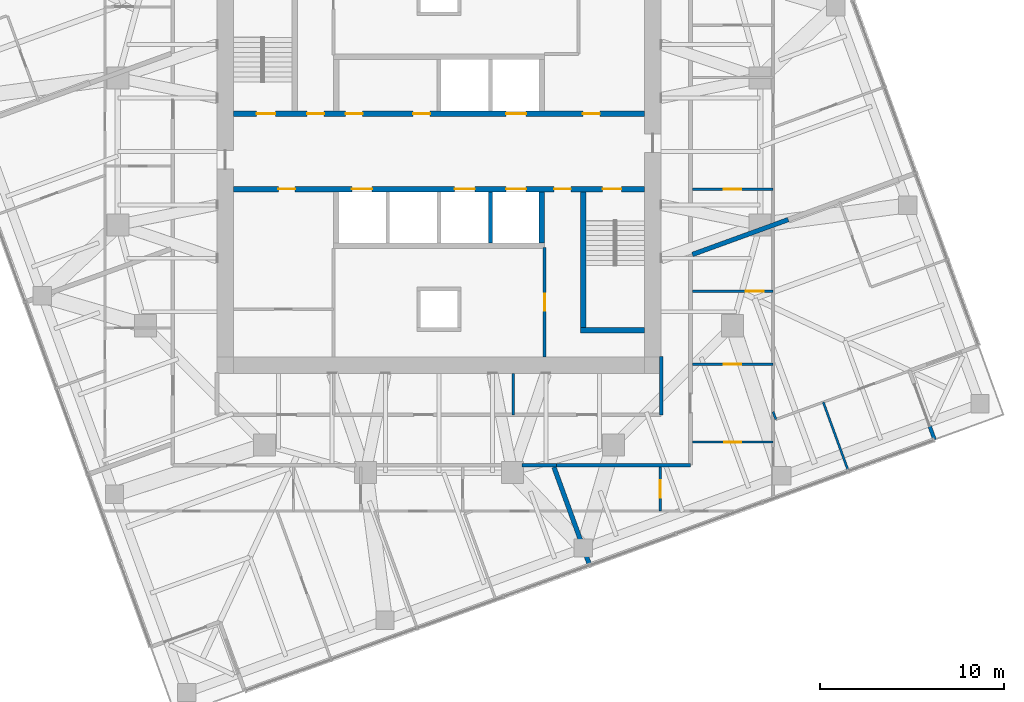
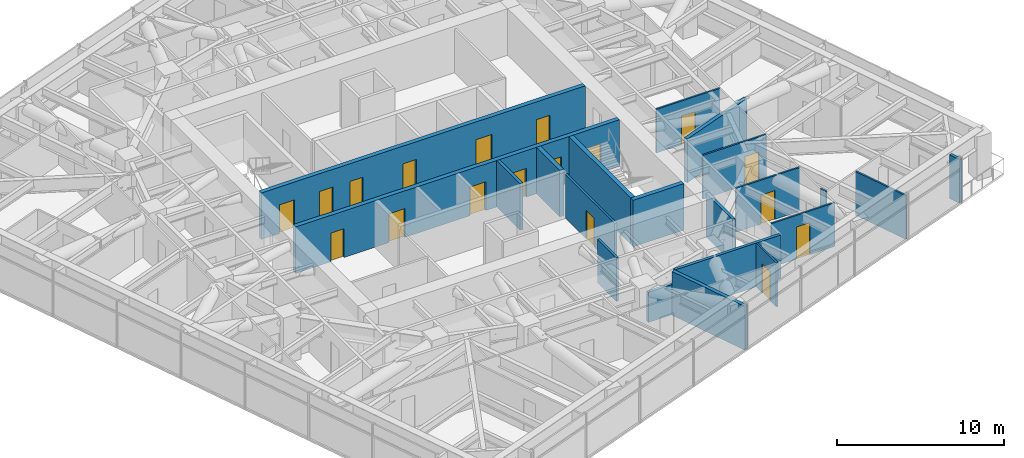
# One storey, part 11 of 16: 21 walls, 18 doors, 18 openings.
"""IFC4 building model written with IfcOpenShell, lengths in metres."""

import ifcopenshell
import ifcopenshell.guid

model = None  # the IFC model being written
_history = None  # IfcOwnerHistory: only IFC2X3 demands one
_inside = {}  # id of a spatial element -> (the spatial element, [elements in it])
_under = {}  # id of a project, library or spatial element -> (it, [spatial elements below it])
_declared = {}  # id of a project -> (the project, [libraries it declares])
_typed = {}  # id of a type object -> (the type object, [elements of that type])
_made_of = {}  # id of a material, layer set ... -> (it, [elements and type objects made of it])


def new_model(schema):
    """Start an empty IFC model of exactly this schema.

    Asked for "IFC4X3", IfcOpenShell would pick the latest addendum, in which some entities
    have other attributes; the version numbers below select the first issue.
    IFC2X3 requires an IfcOwnerHistory on every rooted entity: one is made here for all.
    """
    global model, _history
    if schema == "IFC4X3":
        model = ifcopenshell.file(schema_version=(4, 3, 0, 0))
    else:
        model = ifcopenshell.file(schema=schema)
    _inside.clear()
    _under.clear()
    _declared.clear()
    _typed.clear()
    _made_of.clear()
    _history = None
    if model.schema == "IFC2X3":
        org = make("IfcOrganization", Name="unknown")
        user = make(
            "IfcPersonAndOrganization",
            ThePerson=make("IfcPerson", FamilyName="unknown"),
            TheOrganization=org,
        )
        app = make(
            "IfcApplication",
            ApplicationDeveloper=org,
            Version="unknown",
            ApplicationFullName="unknown",
            ApplicationIdentifier="unknown",
        )
        _history = make(
            "IfcOwnerHistory",
            OwningUser=user,
            OwningApplication=app,
            ChangeAction="ADDED",
            CreationDate=0,
        )
    return model


def make(cls, **values):
    """One entity of the class cls with the attributes given. An attribute that is None is left unset."""
    return model.create_entity(
        cls, **{name: value for name, value in values.items() if value is not None}
    )


def rooted(cls, **values):
    """An entity with a GlobalId (a new one), such as an element, a storey or a relation."""
    return make(cls, GlobalId=ifcopenshell.guid.new(), OwnerHistory=_history, **values)


def si_unit(unit_type, name, prefix=None):
    """IfcSIUnit, for example si_unit("LENGTHUNIT", "METRE", prefix="MILLI")."""
    return make("IfcSIUnit", UnitType=unit_type, Prefix=prefix, Name=name)


def assignment(units):
    """IfcUnitAssignment: the units of a project."""
    return None if units is None else make("IfcUnitAssignment", Units=units)


def point(xyz):
    """IfcCartesianPoint."""
    return None if xyz is None else make("IfcCartesianPoint", Coordinates=xyz)


def direction(xyz):
    """IfcDirection."""
    return None if xyz is None else make("IfcDirection", DirectionRatios=xyz)


def frame(location, z_axis=None, x_axis=None):
    """IfcAxis2Placement3D, a coordinate frame: its origin and axes. An axis left out is left unset."""
    return make(
        "IfcAxis2Placement3D",
        Location=point(location),
        Axis=direction(z_axis),
        RefDirection=direction(x_axis),
    )


def frame_2d(location, x_axis=None):
    """IfcAxis2Placement2D, a coordinate frame in the plane: its origin and x axis."""
    return make(
        "IfcAxis2Placement2D", Location=point(location), RefDirection=direction(x_axis)
    )


def origin():
    """The frame at (0, 0, 0) with its axes left unset."""
    return frame((0.0, 0.0, 0.0))


def place(relative_to, where):
    """IfcLocalPlacement: puts the frame where relative to a parent placement (None: the world)."""
    return make(
        "IfcLocalPlacement", PlacementRelTo=relative_to, RelativePlacement=where
    )


def context(
    kind, dimensions, precision=None, world=None, true_north=None, identifier=None
):
    """IfcGeometricRepresentationContext, for example the 3D "Model" context."""
    return make(
        "IfcGeometricRepresentationContext",
        ContextIdentifier=identifier,
        ContextType=kind,
        CoordinateSpaceDimension=dimensions,
        Precision=precision,
        WorldCoordinateSystem=world,
        TrueNorth=true_north,
    )


def subcontext(parent, identifier, kind, view, scale=None):
    """IfcGeometricRepresentationSubContext, for example "Body" below "Model"."""
    return make(
        "IfcGeometricRepresentationSubContext",
        ContextIdentifier=identifier,
        ContextType=kind,
        ParentContext=parent,
        TargetScale=scale,
        TargetView=view,
    )


def project(units=None, contexts=None):
    """IfcProject with its units and contexts."""
    return rooted(
        "IfcProject",
        Name="project",
        RepresentationContexts=contexts,
        UnitsInContext=assignment(units),
    )


def spatial(cls, under=None, at=None, **own):
    """A site, building, storey or space (cls), placed at a placement, below another one or the project."""
    s = rooted(cls, ObjectPlacement=at, **own)
    if under is not None:
        _under.setdefault(under.id(), (under, []))[1].append(s)
    return s


def profile(cls, at=None, kind="AREA", **sizes):
    """A parametric profile (cls). Its sizes go by their IFC names, for example OverallWidth=200.0."""
    return make(cls, ProfileType=kind, Position=at, **sizes)


def rectangle(**sizes):
    """IfcRectangleProfileDef."""
    return profile("IfcRectangleProfileDef", **sizes)


def extrude(swept, where, along, depth):
    """IfcExtrudedAreaSolid: the profile swept, set in the frame where, extruded along a direction by depth."""
    return make(
        "IfcExtrudedAreaSolid",
        SweptArea=swept,
        Position=where,
        ExtrudedDirection=direction(along),
        Depth=depth,
    )


def shape(context_of_items, identifier, shape_type, items):
    """IfcShapeRepresentation: the items that make up one representation, for example the "Body"."""
    return make(
        "IfcShapeRepresentation",
        ContextOfItems=context_of_items,
        RepresentationIdentifier=identifier,
        RepresentationType=shape_type,
        Items=items,
    )


def material(Name=None, Category=None):
    """IfcMaterial."""
    return make("IfcMaterial", Name=Name, Category=Category)


def layer(
    of_material, thickness, ventilated=None, Name=None, Category=None, Priority=None
):
    """IfcMaterialLayer: one layer of a wall or slab, of a material (None: an air gap)."""
    return make(
        "IfcMaterialLayer",
        Material=of_material,
        LayerThickness=thickness,
        IsVentilated=ventilated,
        Name=Name,
        Category=Category,
        Priority=Priority,
    )


def layer_set(layers, Name=None):
    """IfcMaterialLayerSet."""
    return make("IfcMaterialLayerSet", MaterialLayers=layers, LayerSetName=Name)


def made_of(thing, what):
    """Note that an element or type object is made of a material, layer set ...; save() writes the relation."""
    if what is not None:
        _made_of.setdefault(what.id(), (what, []))[1].append(thing)
    return thing


def type_object(cls, material=None, **own):
    """A type object (cls), such as IfcWallType, which elements share."""
    return made_of(rooted(cls, **own), material)


def element(
    cls,
    number,
    at=None,
    inside=None,
    cuts=None,
    type_object=None,
    material=None,
    context=None,
    identifier="Body",
    shape_type=None,
    held_by="IfcProductDefinitionShape",
    body=None,
    shapes=None,
    **own,
):
    """One element of the class cls, such as IfcWall. Its Tag is "e" and its number.

    at: its placement. inside: the storey or other place that contains it. cuts: it is an
    opening in that element (IfcRelVoidsElement). A single representation is given by context,
    identifier, shape_type and body (its items); several are given by shapes. held_by: the class
    of the entity that holds the representations. save() writes the other relations.
    """
    e = rooted(cls, Tag="e%d" % number, ObjectPlacement=at, **own)
    if body is not None:
        shapes = [shape(context, identifier, shape_type, body)]
    if shapes is not None:
        e.Representation = make(held_by, Representations=shapes)
    if inside is not None:
        _inside.setdefault(inside.id(), (inside, []))[1].append(e)
    if cuts is not None:
        rooted(
            "IfcRelVoidsElement", RelatingBuildingElement=cuts, RelatedOpeningElement=e
        )
    if type_object is not None:
        _typed.setdefault(type_object.id(), (type_object, []))[1].append(e)
    return made_of(e, material)


def fill(opening, filler):
    """IfcRelFillsElement: the door or window that sits in an opening."""
    return rooted(
        "IfcRelFillsElement",
        RelatingOpeningElement=opening,
        RelatedBuildingElement=filler,
    )


def aggregate(whole, parts):
    """IfcRelAggregates: a whole, such as a stair, and the parts it consists of."""
    return rooted("IfcRelAggregates", RelatingObject=whole, RelatedObjects=parts)


def save(model, path):
    """Write the relations noted so far, then the file.

    IfcRelAggregates (storeys below a building ...), IfcRelContainedInSpatialStructure (elements
    in a storey), IfcRelDefinesByType, IfcRelAssociatesMaterial and IfcRelDeclares: one each for
    every whole, place, type object, material and project.
    """
    for whole, parts in _under.values():
        aggregate(whole, parts)
    for where, things in _inside.values():
        rooted(
            "IfcRelContainedInSpatialStructure",
            RelatedElements=things,
            RelatingStructure=where,
        )
    for kind, things in _typed.values():
        rooted("IfcRelDefinesByType", RelatedObjects=things, RelatingType=kind)
    for what, things in _made_of.values():
        rooted("IfcRelAssociatesMaterial", RelatedObjects=things, RelatingMaterial=what)
    for by, libraries in _declared.values():
        rooted("IfcRelDeclares", RelatingContext=by, RelatedDefinitions=libraries)
    model.write(path)


model = new_model("IFC4")

# Units and contexts
model_context = context("Model", 3, precision=1e-05, world=origin(), true_north=direction((0.0, 1.0)))
body_context = subcontext(model_context, "Body", "Model", "MODEL_VIEW")
ifc_project = project(units=[si_unit("LENGTHUNIT", "METRE"), si_unit("AREAUNIT", "SQUARE_METRE"), si_unit("VOLUMEUNIT", "CUBIC_METRE"), si_unit("PLANEANGLEUNIT", "RADIAN"), si_unit("MASSUNIT", "GRAM", prefix="KILO")], contexts=[model_context])

# Site, building, storey
site_placement = place(None, origin())
site = spatial("IfcSite", under=ifc_project, at=site_placement, CompositionType="ELEMENT")
building_placement = place(site_placement, origin())
building = spatial("IfcBuilding", under=site, at=building_placement, Name="Torsade Residences", CompositionType="ELEMENT")
storey_placement = place(building_placement, frame((0.0, 0.0, 167.60009765625)))
storey = spatial("IfcBuildingStorey", under=building, at=storey_placement, Name="L46", CompositionType="ELEMENT", Elevation=167.60009765625)

# Wall, openings, doors
ifc_material_1 = material(Name="Concrete 80 MPa", Category="concrete")
ifc_layer_1 = layer(ifc_material_1, 0.300048828125)
ifc_layer_set_1 = layer_set([ifc_layer_1], Name="Concrete 80 MPa")
wall_type_1 = type_object("IfcWallType", Name="CORE INTERNAL WALL 300", PredefinedType="SHEAR", material=ifc_layer_set_1)
wall_1_placement = place(storey_placement, frame((28.800048828125, 32.050048828125, 0.0), z_axis=(0.0, 0.0, 1.0), x_axis=(1.0, 0.0, 0.0)))
wall_1 = element("IfcWall", 1, at=wall_1_placement, inside=storey, type_object=wall_type_1, Name="Core wall LN L46", PredefinedType="SHEAR", context=body_context, shape_type="SweptSolid", body=[
    extrude(rectangle(XDim=22.39990234375, YDim=0.300048828125, at=frame_2d((11.199951171875, 0.0))), origin(), (0.0, 0.0, 1.0), 3.39990234375),
])
opening_1_placement = place(wall_1_placement, frame((19.0400390625, 0.0, 0.0)))
opening_1 = element("IfcOpeningElement", 2, at=opening_1_placement, cuts=wall_1, Name="Opening D06", PredefinedType="OPENING", context=body_context, shape_type="SweptSolid", body=[
    extrude(rectangle(XDim=0.919921875, YDim=2.10009765625, at=frame_2d((0.4599609375, 1.050048828125))), frame((0.0, 0.159912109375, 0.0), z_axis=(0.0, -1.0, 0.0), x_axis=(1.0, 0.0, 0.0)), (0.0, 0.0, 1.0), 0.320068359375),
])
opening_2_placement = place(wall_1_placement, frame((1.264892578125, 0.0, 0.0)))
opening_2 = element("IfcOpeningElement", 3, at=opening_2_placement, cuts=wall_1, Name="Opening D03", PredefinedType="OPENING", context=body_context, shape_type="SweptSolid", body=[
    extrude(rectangle(XDim=1.02001953125, YDim=2.10009765625, at=frame_2d((0.510009765625, 1.050048828125))), frame((0.0, 0.159912109375, 0.0), z_axis=(0.0, -1.0, 0.0), x_axis=(1.0, 0.0, 0.0)), (0.0, 0.0, 1.0), 0.320068359375),
])
opening_3_placement = place(wall_1_placement, frame((4.014892578125, 0.0, 0.0)))
opening_3 = element("IfcOpeningElement", 4, at=opening_3_placement, cuts=wall_1, Name="Opening D06", PredefinedType="OPENING", context=body_context, shape_type="SweptSolid", body=[
    extrude(rectangle(XDim=0.919921875, YDim=2.10009765625, at=frame_2d((0.4599609375, 1.050048828125))), frame((0.0, 0.159912109375, 0.0), z_axis=(0.0, -1.0, 0.0), x_axis=(1.0, 0.0, 0.0)), (0.0, 0.0, 1.0), 0.320068359375),
])
opening_4_placement = place(wall_1_placement, frame((6.114990234375, 0.0, 0.0)))
opening_4 = element("IfcOpeningElement", 5, at=opening_4_placement, cuts=wall_1, Name="Opening D06", PredefinedType="OPENING", context=body_context, shape_type="SweptSolid", body=[
    extrude(rectangle(XDim=0.919921875, YDim=2.10009765625, at=frame_2d((0.4599609375, 1.050048828125))), frame((0.0, 0.159912109375, 0.0), z_axis=(0.0, -1.0, 0.0), x_axis=(1.0, 0.0, 0.0)), (0.0, 0.0, 1.0), 0.320068359375),
])
opening_5_placement = place(wall_1_placement, frame((9.7900390625, 0.0, 0.0)))
opening_5 = element("IfcOpeningElement", 6, at=opening_5_placement, cuts=wall_1, Name="Opening D06", PredefinedType="OPENING", context=body_context, shape_type="SweptSolid", body=[
    extrude(rectangle(XDim=0.919921875, YDim=2.10009765625, at=frame_2d((0.4599609375, 1.050048828125))), frame((0.0, 0.159912109375, 0.0), z_axis=(0.0, -1.0, 0.0), x_axis=(1.0, 0.0, 0.0)), (0.0, 0.0, 1.0), 0.320068359375),
])
opening_6_placement = place(wall_1_placement, frame((14.85009765625, 0.0, 0.0)))
opening_6 = element("IfcOpeningElement", 7, at=opening_6_placement, cuts=wall_1, Name="Opening LD", PredefinedType="OPENING", context=body_context, shape_type="SweptSolid", body=[
    extrude(rectangle(XDim=1.10009765625, YDim=2.10009765625, at=frame_2d((0.550048828125, 1.050048828125))), frame((0.0, 0.159912109375, 0.0), z_axis=(0.0, -1.0, 0.0), x_axis=(1.0, 0.0, 0.0)), (0.0, 0.0, 1.0), 0.320068359375),
])
ifc_material_2 = material(Name="Steel-framed fire door", Category="steel")
door_type_1 = type_object("IfcDoorType", Name="FIRE DOOR 1020", OperationType="NOTDEFINED", PredefinedType="DOOR", material=ifc_material_2)
door_1_placement = place(opening_2_placement, origin())
door_1 = element("IfcDoor", 8, at=door_1_placement, inside=storey, type_object=door_type_1, Name="Exit door to fire-isolated stair ST1 L46", OperationType="SINGLE_SWING_RIGHT", OverallHeight=2.10009765625, OverallWidth=1.02001953125, PredefinedType="DOOR", context=body_context, shape_type="SweptSolid", body=[
    extrude(rectangle(XDim=1.02001953125, YDim=2.10009765625, at=frame_2d((0.510009765625, 1.050048828125))), frame((0.0, 0.02490234375, 0.0), z_axis=(0.0, -1.0, 0.0), x_axis=(1.0, 0.0, 0.0)), (0.0, 0.0, 1.0), 0.050048828125),
])
fill(opening_2, door_1)
ifc_material_3 = material(Name="Steel-framed fire door", Category="steel")
door_type_2 = type_object("IfcDoorType", Name="FIRE DOOR 920", OperationType="NOTDEFINED", PredefinedType="DOOR", material=ifc_material_3)
door_2_placement = place(opening_1_placement, origin())
door_2 = element("IfcDoor", 9, at=door_2_placement, inside=storey, type_object=door_type_2, Name="Door Lift lobby to Refuse room", OperationType="SINGLE_SWING_LEFT", OverallHeight=2.10009765625, OverallWidth=0.919921875, PredefinedType="DOOR", context=body_context, shape_type="SweptSolid", body=[
    extrude(rectangle(XDim=0.919921875, YDim=2.10009765625, at=frame_2d((0.4599609375, 1.050048828125))), frame((0.0, 0.02490234375, 0.0), z_axis=(0.0, -1.0, 0.0), x_axis=(1.0, 0.0, 0.0)), (0.0, 0.0, 1.0), 0.050048828125),
])
fill(opening_1, door_2)
door_3_placement = place(opening_3_placement, origin())
door_3 = element("IfcDoor", 10, at=door_3_placement, inside=storey, type_object=door_type_2, Name="Door Lift lobby to Meter store", OperationType="SINGLE_SWING_LEFT", OverallHeight=2.10009765625, OverallWidth=0.919921875, PredefinedType="DOOR", context=body_context, shape_type="SweptSolid", body=[
    extrude(rectangle(XDim=0.919921875, YDim=2.10009765625, at=frame_2d((0.4599609375, 1.050048828125))), frame((0.0, 0.02490234375, 0.0), z_axis=(0.0, -1.0, 0.0), x_axis=(1.0, 0.0, 0.0)), (0.0, 0.0, 1.0), 0.050048828125),
])
fill(opening_3, door_3)
door_4_placement = place(opening_4_placement, origin())
door_4 = element("IfcDoor", 11, at=door_4_placement, inside=storey, type_object=door_type_2, Name="Door Lift lobby to Cleaners store L46A", OperationType="SINGLE_SWING_LEFT", OverallHeight=2.10009765625, OverallWidth=0.919921875, PredefinedType="DOOR", context=body_context, shape_type="SweptSolid", body=[
    extrude(rectangle(XDim=0.919921875, YDim=2.10009765625, at=frame_2d((0.4599609375, 1.050048828125))), frame((0.0, 0.02490234375, 0.0), z_axis=(0.0, -1.0, 0.0), x_axis=(1.0, 0.0, 0.0)), (0.0, 0.0, 1.0), 0.050048828125),
])
fill(opening_4, door_4)
door_5_placement = place(opening_5_placement, origin())
door_5 = element("IfcDoor", 12, at=door_5_placement, inside=storey, type_object=door_type_2, Name="Door Lift lobby to Cleaners store L46A", OperationType="SINGLE_SWING_RIGHT", OverallHeight=2.10009765625, OverallWidth=0.919921875, PredefinedType="DOOR", context=body_context, shape_type="SweptSolid", body=[
    extrude(rectangle(XDim=0.919921875, YDim=2.10009765625, at=frame_2d((0.4599609375, 1.050048828125))), frame((0.0, 0.02490234375, 0.0), z_axis=(0.0, -1.0, 0.0), x_axis=(1.0, 0.0, 0.0)), (0.0, 0.0, 1.0), 0.050048828125),
])
fill(opening_5, door_5)
ifc_material_4 = material(Name="Stainless steel lift landing door", Category="steel")
door_type_3 = type_object("IfcDoorType", Name="LIFT LANDING DOOR 1100", OperationType="SLIDING_TO_LEFT", PredefinedType="DOOR", material=ifc_material_4)
door_6_placement = place(opening_6_placement, origin())
door_6 = element("IfcDoor", 13, at=door_6_placement, inside=storey, type_object=door_type_3, Name="Lift FL1 landing door L46", OperationType="SLIDING_TO_LEFT", OverallHeight=2.10009765625, OverallWidth=1.10009765625, PredefinedType="DOOR", context=body_context, shape_type="SweptSolid", body=[
    extrude(rectangle(XDim=1.10009765625, YDim=2.10009765625, at=frame_2d((0.550048828125, 1.050048828125))), frame((0.0, 0.02490234375, 0.0), z_axis=(0.0, -1.0, 0.0), x_axis=(1.0, 0.0, 0.0)), (0.0, 0.0, 1.0), 0.050048828125),
])
fill(opening_6, door_6)

wall_2_placement = place(storey_placement, frame((51.199951171875, 27.949951171875, 0.0), z_axis=(0.0, 0.0, 1.0), x_axis=(-1.0, 0.0, 0.0)))
wall_2 = element("IfcWall", 14, at=wall_2_placement, inside=storey, type_object=wall_type_1, Name="Core wall LS L46", PredefinedType="SHEAR", context=body_context, shape_type="SweptSolid", body=[
    extrude(rectangle(XDim=22.39990234375, YDim=0.300048828125, at=frame_2d((11.199951171875, 0.0))), origin(), (0.0, 0.0, 1.0), 3.39990234375),
])
opening_7_placement = place(wall_2_placement, frame((19.0400390625, 0.0, 0.0)))
opening_7 = element("IfcOpeningElement", 15, at=opening_7_placement, cuts=wall_2, Name="Opening D06", PredefinedType="OPENING", context=body_context, shape_type="SweptSolid", body=[
    extrude(rectangle(XDim=0.919921875, YDim=2.10009765625, at=frame_2d((0.4599609375, 1.050048828125))), frame((0.0, 0.159912109375, 0.0), z_axis=(0.0, -1.0, 0.0), x_axis=(1.0, 0.0, 0.0)), (0.0, 0.0, 1.0), 0.320068359375),
])
opening_8_placement = place(wall_2_placement, frame((1.264892578125, 0.0, 0.0)))
opening_8 = element("IfcOpeningElement", 16, at=opening_8_placement, cuts=wall_2, Name="Opening D03", PredefinedType="OPENING", context=body_context, shape_type="SweptSolid", body=[
    extrude(rectangle(XDim=1.02001953125, YDim=2.10009765625, at=frame_2d((0.510009765625, 1.050048828125))), frame((0.0, 0.159912109375, 0.0), z_axis=(0.0, -1.0, 0.0), x_axis=(1.0, 0.0, 0.0)), (0.0, 0.0, 1.0), 0.320068359375),
])
opening_9_placement = place(wall_2_placement, frame((4.014892578125, 0.0, 0.0)))
opening_9 = element("IfcOpeningElement", 17, at=opening_9_placement, cuts=wall_2, Name="Opening D06", PredefinedType="OPENING", context=body_context, shape_type="SweptSolid", body=[
    extrude(rectangle(XDim=0.919921875, YDim=2.10009765625, at=frame_2d((0.4599609375, 1.050048828125))), frame((0.0, 0.159912109375, 0.0), z_axis=(0.0, -1.0, 0.0), x_axis=(1.0, 0.0, 0.0)), (0.0, 0.0, 1.0), 0.320068359375),
])
opening_10_placement = place(wall_2_placement, frame((6.449951171875, 0.0, 0.0)))
opening_10 = element("IfcOpeningElement", 18, at=opening_10_placement, cuts=wall_2, Name="Opening LD", PredefinedType="OPENING", context=body_context, shape_type="SweptSolid", body=[
    extrude(rectangle(XDim=1.10009765625, YDim=2.10009765625, at=frame_2d((0.550048828125, 1.050048828125))), frame((0.0, 0.159912109375, 0.0), z_axis=(0.0, -1.0, 0.0), x_axis=(1.0, 0.0, 0.0)), (0.0, 0.0, 1.0), 0.320068359375),
])
opening_11_placement = place(wall_2_placement, frame((9.25, 0.0, 0.0)))
opening_11 = element("IfcOpeningElement", 19, at=opening_11_placement, cuts=wall_2, Name="Opening LD", PredefinedType="OPENING", context=body_context, shape_type="SweptSolid", body=[
    extrude(rectangle(XDim=1.10009765625, YDim=2.10009765625, at=frame_2d((0.550048828125, 1.050048828125))), frame((0.0, 0.159912109375, 0.0), z_axis=(0.0, -1.0, 0.0), x_axis=(1.0, 0.0, 0.0)), (0.0, 0.0, 1.0), 0.320068359375),
])
opening_12_placement = place(wall_2_placement, frame((14.85009765625, 0.0, 0.0)))
opening_12 = element("IfcOpeningElement", 20, at=opening_12_placement, cuts=wall_2, Name="Opening LD", PredefinedType="OPENING", context=body_context, shape_type="SweptSolid", body=[
    extrude(rectangle(XDim=1.10009765625, YDim=2.10009765625, at=frame_2d((0.550048828125, 1.050048828125))), frame((0.0, 0.159912109375, 0.0), z_axis=(0.0, -1.0, 0.0), x_axis=(1.0, 0.0, 0.0)), (0.0, 0.0, 1.0), 0.320068359375),
])
door_7_placement = place(opening_8_placement, origin())
door_7 = element("IfcDoor", 21, at=door_7_placement, inside=storey, type_object=door_type_1, Name="Exit door to fire-isolated stair ST2 L46", OperationType="SINGLE_SWING_RIGHT", OverallHeight=2.10009765625, OverallWidth=1.02001953125, PredefinedType="DOOR", context=body_context, shape_type="SweptSolid", body=[
    extrude(rectangle(XDim=1.02001953125, YDim=2.10009765625, at=frame_2d((0.510009765625, 1.050048828125))), frame((0.0, 0.02490234375, 0.0), z_axis=(0.0, -1.0, 0.0), x_axis=(1.0, 0.0, 0.0)), (0.0, 0.0, 1.0), 0.050048828125),
])
fill(opening_8, door_7)
door_8_placement = place(opening_7_placement, origin())
door_8 = element("IfcDoor", 22, at=door_8_placement, inside=storey, type_object=door_type_2, Name="Door Lift lobby to Cleaner store", OperationType="SINGLE_SWING_LEFT", OverallHeight=2.10009765625, OverallWidth=0.919921875, PredefinedType="DOOR", context=body_context, shape_type="SweptSolid", body=[
    extrude(rectangle(XDim=0.919921875, YDim=2.10009765625, at=frame_2d((0.4599609375, 1.050048828125))), frame((0.0, 0.02490234375, 0.0), z_axis=(0.0, -1.0, 0.0), x_axis=(1.0, 0.0, 0.0)), (0.0, 0.0, 1.0), 0.050048828125),
])
fill(opening_7, door_8)
door_9_placement = place(opening_9_placement, origin())
door_9 = element("IfcDoor", 23, at=door_9_placement, inside=storey, type_object=door_type_2, Name="Door Lift lobby to Communications equipment store", OperationType="SINGLE_SWING_RIGHT", OverallHeight=2.10009765625, OverallWidth=0.919921875, PredefinedType="DOOR", context=body_context, shape_type="SweptSolid", body=[
    extrude(rectangle(XDim=0.919921875, YDim=2.10009765625, at=frame_2d((0.4599609375, 1.050048828125))), frame((0.0, 0.02490234375, 0.0), z_axis=(0.0, -1.0, 0.0), x_axis=(1.0, 0.0, 0.0)), (0.0, 0.0, 1.0), 0.050048828125),
])
fill(opening_9, door_9)
door_10_placement = place(opening_10_placement, origin())
door_10 = element("IfcDoor", 24, at=door_10_placement, inside=storey, type_object=door_type_3, Name="Lift LB1 landing door L46", OperationType="SLIDING_TO_LEFT", OverallHeight=2.10009765625, OverallWidth=1.10009765625, PredefinedType="DOOR", context=body_context, shape_type="SweptSolid", body=[
    extrude(rectangle(XDim=1.10009765625, YDim=2.10009765625, at=frame_2d((0.550048828125, 1.050048828125))), frame((0.0, 0.02490234375, 0.0), z_axis=(0.0, -1.0, 0.0), x_axis=(1.0, 0.0, 0.0)), (0.0, 0.0, 1.0), 0.050048828125),
])
fill(opening_10, door_10)
door_11_placement = place(opening_11_placement, origin())
door_11 = element("IfcDoor", 25, at=door_11_placement, inside=storey, type_object=door_type_3, Name="Lift LB2 landing door L46", OperationType="SLIDING_TO_LEFT", OverallHeight=2.10009765625, OverallWidth=1.10009765625, PredefinedType="DOOR", context=body_context, shape_type="SweptSolid", body=[
    extrude(rectangle(XDim=1.10009765625, YDim=2.10009765625, at=frame_2d((0.550048828125, 1.050048828125))), frame((0.0, 0.02490234375, 0.0), z_axis=(0.0, -1.0, 0.0), x_axis=(1.0, 0.0, 0.0)), (0.0, 0.0, 1.0), 0.050048828125),
])
fill(opening_11, door_11)
door_12_placement = place(opening_12_placement, origin())
door_12 = element("IfcDoor", 26, at=door_12_placement, inside=storey, type_object=door_type_3, Name="Lift FL2 landing door L46", OperationType="SLIDING_TO_LEFT", OverallHeight=2.10009765625, OverallWidth=1.10009765625, PredefinedType="DOOR", context=body_context, shape_type="SweptSolid", body=[
    extrude(rectangle(XDim=1.10009765625, YDim=2.10009765625, at=frame_2d((0.550048828125, 1.050048828125))), frame((0.0, 0.02490234375, 0.0), z_axis=(0.0, -1.0, 0.0), x_axis=(1.0, 0.0, 0.0)), (0.0, 0.0, 1.0), 0.050048828125),
])
fill(opening_12, door_12)

# Walls
wall_3_placement = place(storey_placement, frame((45.60009765625, 27.800048828125, 0.0), z_axis=(0.0, 0.0, 1.0), x_axis=(0.0, -1.0, 0.0)))
element("IfcWall", 27, at=wall_3_placement, inside=storey, type_object=wall_type_1, Name="Core wall DS0 L46", PredefinedType="SHEAR", context=body_context, shape_type="SweptSolid", body=[
    extrude(rectangle(XDim=2.800048828125, YDim=0.300048828125, at=frame_2d((1.39990234375, 0.0))), origin(), (0.0, 0.0, 1.0), 3.39990234375),
])
wall_4_placement = place(storey_placement, frame((47.85009765625, 27.800048828125, 0.0), z_axis=(0.0, 0.0, 1.0), x_axis=(0.0, -1.0, 0.0)))
element("IfcWall", 28, at=wall_4_placement, inside=storey, type_object=wall_type_1, Name="Core wall ST2W L46", PredefinedType="SHEAR", context=body_context, shape_type="SweptSolid", body=[
    extrude(rectangle(XDim=7.699951171875, YDim=0.300048828125, at=frame_2d((3.85009765625, 0.0))), origin(), (0.0, 0.0, 1.0), 3.39990234375),
])
wall_5_placement = place(storey_placement, frame((51.199951171875, 20.25, 0.0), z_axis=(0.0, 0.0, 1.0), x_axis=(-1.0, 0.0, 0.0)))
element("IfcWall", 29, at=wall_5_placement, inside=storey, type_object=wall_type_1, Name="Core wall ST2S L46", PredefinedType="SHEAR", context=body_context, shape_type="SweptSolid", body=[
    extrude(rectangle(XDim=3.5, YDim=0.300048828125, at=frame_2d((1.75, 0.0))), origin(), (0.0, 0.0, 1.0), 3.39990234375),
])
ifc_material_5 = material(Name="Plasterboard on steel stud", Category="steel")
ifc_layer_2 = layer(ifc_material_5, 0.199951171875)
ifc_layer_set_2 = layer_set([ifc_layer_2], Name="Plasterboard on steel stud")
wall_type_2 = type_object("IfcWallType", Name="CORRIDOR WALL 200", PredefinedType="PARTITIONING", material=ifc_layer_set_2)
wall_6_placement = place(storey_placement, frame((44.530029296875, 12.89990234375, 0.0), z_axis=(0.0, 0.0, 1.0), x_axis=(1.0, 0.0, 0.0)))
element("IfcWall", 30, at=wall_6_placement, inside=storey, type_object=wall_type_2, Name="Corridor wall L46", PredefinedType="PARTITIONING", context=body_context, shape_type="SweptSolid", body=[
    extrude(rectangle(XDim=1.873291015625, YDim=0.199951171875, at=frame_2d((0.9365234375, 0.0))), origin(), (0.0, 0.0, 1.0), 2.199951171875),
])
wall_7_placement = place(storey_placement, frame((46.4033203125, 12.89990234375, 0.0), z_axis=(0.0, 0.0, 1.0), x_axis=(1.0, 0.0, 0.0)))
element("IfcWall", 31, at=wall_7_placement, inside=storey, type_object=wall_type_2, Name="Corridor wall L46", PredefinedType="PARTITIONING", context=body_context, shape_type="SweptSolid", body=[
    extrude(rectangle(XDim=7.296630859375, YDim=0.199951171875, at=frame_2d((3.6484375, 0.0))), origin(), (0.0, 0.0, 1.0), 3.199951171875),
])
wall_8_placement = place(storey_placement, frame((52.10009765625, 15.64990234375, 0.0), z_axis=(0.0, 0.0, 1.0), x_axis=(0.0, 1.0, 0.0)))
element("IfcWall", 32, at=wall_8_placement, inside=storey, type_object=wall_type_2, Name="Corridor wall L46", PredefinedType="PARTITIONING", context=body_context, shape_type="SweptSolid", body=[
    extrude(rectangle(XDim=3.170166015625, YDim=0.199951171875, at=frame_2d((1.5849609375, 0.0))), origin(), (0.0, 0.0, 1.0), 3.199951171875),
])
ifc_material_6 = material(Name="Reinforced blockwork", Category="masonry")
ifc_layer_3 = layer(ifc_material_6, 0.199951171875)
ifc_layer_set_3 = layer_set([ifc_layer_3], Name="Reinforced blockwork")
wall_type_3 = type_object("IfcWallType", Name="LIFT SHAFT DIVIDING WALL 200", PredefinedType="SOLIDWALL", material=ifc_layer_set_3)
wall_9_placement = place(storey_placement, frame((42.800048828125, 27.800048828125, 0.0), z_axis=(0.0, 0.0, 1.0), x_axis=(0.0, -1.0, 0.0)))
element("IfcWall", 33, at=wall_9_placement, inside=storey, type_object=wall_type_3, Name="Core wall DS1 L46", PredefinedType="SOLIDWALL", context=body_context, shape_type="SweptSolid", body=[
    extrude(rectangle(XDim=2.800048828125, YDim=0.199951171875, at=frame_2d((1.39990234375, 0.0))), origin(), (0.0, 0.0, 1.0), 3.39990234375),
])

# Wall, opening, door
ifc_material_7 = material(Name="Plasterboard on steel stud", Category="steel")
ifc_layer_4 = layer(ifc_material_7, 0.1201171875)
ifc_layer_set_4 = layer_set([ifc_layer_4], Name="Plasterboard on steel stud")
wall_type_4 = type_object("IfcWallType", Name="PARTITION 120", PredefinedType="PARTITIONING", material=ifc_layer_set_4)
wall_10_placement = place(storey_placement, frame((58.199951171875, 14.16015625, 0.0), z_axis=(0.0, 0.0, 1.0), x_axis=(-1.0, 0.0, 0.0)))
wall_10 = element("IfcWall", 34, at=wall_10_placement, inside=storey, type_object=wall_type_4, Name="Partition L46", PredefinedType="PARTITIONING", context=body_context, shape_type="SweptSolid", body=[
    extrude(rectangle(XDim=4.39990234375, YDim=0.1201171875, at=frame_2d((2.199951171875, 0.0))), origin(), (0.0, 0.0, 1.0), 3.199951171875),
])
opening_13_placement = place(wall_10_placement, frame((1.739990234375, 0.0, 0.0)))
opening_13 = element("IfcOpeningElement", 35, at=opening_13_placement, cuts=wall_10, Name="Opening D02", PredefinedType="OPENING", context=body_context, shape_type="SweptSolid", body=[
    extrude(rectangle(XDim=0.919921875, YDim=2.340087890625, at=frame_2d((0.4599609375, 1.169921875))), frame((0.0, 0.070068359375, 0.0), z_axis=(0.0, -1.0, 0.0), x_axis=(1.0, 0.0, 0.0)), (0.0, 0.0, 1.0), 0.14013671875),
])
ifc_material_8 = material(Name="Hollow-core timber door", Category="wood")
door_type_4 = type_object("IfcDoorType", Name="INTERNAL DOOR 920x2340", OperationType="NOTDEFINED", PredefinedType="DOOR", material=ifc_material_8)
door_13_placement = place(opening_13_placement, origin())
door_13 = element("IfcDoor", 36, at=door_13_placement, inside=storey, type_object=door_type_4, Name="Door Kitchen and dining to Scullery", OperationType="SINGLE_SWING_LEFT", OverallHeight=2.340087890625, OverallWidth=0.919921875, PredefinedType="DOOR", context=body_context, shape_type="SweptSolid", body=[
    extrude(rectangle(XDim=0.919921875, YDim=2.340087890625, at=frame_2d((0.4599609375, 1.169921875))), frame((0.0, 0.02490234375, 0.0), z_axis=(0.0, -1.0, 0.0), x_axis=(1.0, 0.0, 0.0)), (0.0, 0.0, 1.0), 0.050048828125),
])
fill(opening_13, door_13)

wall_11_placement = place(storey_placement, frame((53.800048828125, 18.400146484375, 0.0), z_axis=(0.0, 0.0, 1.0), x_axis=(1.0, 0.0, 0.0)))
wall_11 = element("IfcWall", 37, at=wall_11_placement, inside=storey, type_object=wall_type_4, Name="Partition L46", PredefinedType="PARTITIONING", context=body_context, shape_type="SweptSolid", body=[
    extrude(rectangle(XDim=4.39990234375, YDim=0.1201171875, at=frame_2d((2.199951171875, 0.0))), origin(), (0.0, 0.0, 1.0), 3.199951171875),
])
opening_14_placement = place(wall_11_placement, frame((1.719970703125, 0.0, 0.0)))
opening_14 = element("IfcOpeningElement", 38, at=opening_14_placement, cuts=wall_11, Name="Opening D05", PredefinedType="OPENING", context=body_context, shape_type="SweptSolid", body=[
    extrude(rectangle(XDim=0.9599609375, YDim=2.10009765625, at=frame_2d((0.47998046875, 1.050048828125))), frame((0.0, 0.070068359375, 0.0), z_axis=(0.0, -1.0, 0.0), x_axis=(1.0, 0.0, 0.0)), (0.0, 0.0, 1.0), 0.14013671875),
])
ifc_material_9 = material(Name="Hollow-core timber door in a steel cavity frame", Category="steel")
door_type_5 = type_object("IfcDoorType", Name="BATHROOM CAVITY SLIDING DOOR 960", OperationType="SLIDING_TO_LEFT", PredefinedType="DOOR", material=ifc_material_9)
door_14_placement = place(opening_14_placement, origin())
door_14 = element("IfcDoor", 39, at=door_14_placement, inside=storey, type_object=door_type_5, Name="Door Kitchen and dining to Ensuite", OperationType="SLIDING_TO_LEFT", OverallHeight=2.10009765625, OverallWidth=0.9599609375, PredefinedType="DOOR", context=body_context, shape_type="SweptSolid", body=[
    extrude(rectangle(XDim=0.9599609375, YDim=2.10009765625, at=frame_2d((0.47998046875, 1.050048828125))), frame((0.0, 0.02490234375, 0.0), z_axis=(0.0, -1.0, 0.0), x_axis=(1.0, 0.0, 0.0)), (0.0, 0.0, 1.0), 0.050048828125),
])
fill(opening_14, door_14)

wall_12_placement = place(storey_placement, frame((52.05615234375, 10.39990234375, 0.0), z_axis=(0.0, 0.0, 1.0), x_axis=(0.0, 1.0, 0.0)))
wall_12 = element("IfcWall", 40, at=wall_12_placement, inside=storey, type_object=wall_type_4, Name="Partition L46", PredefinedType="PARTITIONING", context=body_context, shape_type="SweptSolid", body=[
    extrude(rectangle(XDim=2.400146484375, YDim=0.1201171875, at=frame_2d((1.2001953125, 0.0))), origin(), (0.0, 0.0, 1.0), 3.199951171875),
])
opening_15_placement = place(wall_12_placement, frame((0.719970703125, 0.0, 0.0)))
opening_15 = element("IfcOpeningElement", 41, at=opening_15_placement, cuts=wall_12, Name="Opening D05", PredefinedType="OPENING", context=body_context, shape_type="SweptSolid", body=[
    extrude(rectangle(XDim=0.9599609375, YDim=2.10009765625, at=frame_2d((0.47998046875, 1.050048828125))), frame((0.0, 0.070068359375, 0.0), z_axis=(0.0, -1.0, 0.0), x_axis=(1.0, 0.0, 0.0)), (0.0, 0.0, 1.0), 0.14013671875),
])
door_15_placement = place(opening_15_placement, origin())
door_15 = element("IfcDoor", 42, at=door_15_placement, inside=storey, type_object=door_type_5, Name="Door Scullery to Bathroom", OperationType="SLIDING_TO_LEFT", OverallHeight=2.10009765625, OverallWidth=0.9599609375, PredefinedType="DOOR", context=body_context, shape_type="SweptSolid", body=[
    extrude(rectangle(XDim=0.9599609375, YDim=2.10009765625, at=frame_2d((0.47998046875, 1.050048828125))), frame((0.0, 0.02490234375, 0.0), z_axis=(0.0, -1.0, 0.0), x_axis=(1.0, 0.0, 0.0)), (0.0, 0.0, 1.0), 0.050048828125),
])
fill(opening_15, door_15)

wall_13_placement = place(storey_placement, frame((53.800048828125, 22.384765625, 0.0), z_axis=(0.0, 0.0, 1.0), x_axis=(1.0, 0.0, 0.0)))
wall_13 = element("IfcWall", 43, at=wall_13_placement, inside=storey, type_object=wall_type_4, Name="Partition L46", PredefinedType="PARTITIONING", context=body_context, shape_type="SweptSolid", body=[
    extrude(rectangle(XDim=4.39990234375, YDim=0.1201171875, at=frame_2d((2.199951171875, 0.0))), origin(), (0.0, 0.0, 1.0), 3.199951171875),
])
opening_16_placement = place(wall_13_placement, frame((2.919921875, 0.0, 0.0)))
opening_16 = element("IfcOpeningElement", 44, at=opening_16_placement, cuts=wall_13, Name="Opening D05", PredefinedType="OPENING", context=body_context, shape_type="SweptSolid", body=[
    extrude(rectangle(XDim=0.9599609375, YDim=2.10009765625, at=frame_2d((0.47998046875, 1.050048828125))), frame((0.0, 0.070068359375, 0.0), z_axis=(0.0, -1.0, 0.0), x_axis=(1.0, 0.0, 0.0)), (0.0, 0.0, 1.0), 0.14013671875),
])
door_16_placement = place(opening_16_placement, origin())
door_16 = element("IfcDoor", 45, at=door_16_placement, inside=storey, type_object=door_type_5, Name="Door Ensuite to Laundry", OperationType="SLIDING_TO_LEFT", OverallHeight=2.10009765625, OverallWidth=0.9599609375, PredefinedType="DOOR", context=body_context, shape_type="SweptSolid", body=[
    extrude(rectangle(XDim=0.9599609375, YDim=2.10009765625, at=frame_2d((0.47998046875, 1.050048828125))), frame((0.0, 0.02490234375, 0.0), z_axis=(0.0, -1.0, 0.0), x_axis=(1.0, 0.0, 0.0)), (0.0, 0.0, 1.0), 0.050048828125),
])
fill(opening_16, door_16)

# Walls
wall_14_placement = place(storey_placement, frame((58.35400390625, 15.396728515625, 0.0), z_axis=(0.0, 0.0, 1.0), x_axis=(-0.342309246526, 0.939587345457, 0.0)))
element("IfcWall", 46, at=wall_14_placement, inside=storey, type_object=wall_type_4, Name="Partition L46", PredefinedType="PARTITIONING", context=body_context, shape_type="SweptSolid", body=[
    extrude(rectangle(XDim=0.449951171875, YDim=0.1201171875, at=frame_2d((0.22509765625, 0.0))), origin(), (0.0, 0.0, 1.0), 3.199951171875),
])
wall_15_placement = place(storey_placement, frame((62.290283203125, 12.615234375, 0.0), z_axis=(0.0, 0.0, 1.0), x_axis=(-0.342040051101, 0.939685374709, 0.0)))
element("IfcWall", 47, at=wall_15_placement, inside=storey, type_object=wall_type_4, Name="Partition L46", PredefinedType="PARTITIONING", context=body_context, shape_type="SweptSolid", body=[
    extrude(rectangle(XDim=3.9599609375, YDim=0.1201171875, at=frame_2d((1.97998046875, 0.0))), origin(), (0.0, 0.0, 1.0), 3.199951171875),
])

# Wall, opening, door
wall_16_placement = place(storey_placement, frame((53.800048828125, 27.940673828125, 0.0), z_axis=(0.0, 0.0, 1.0), x_axis=(1.0, 0.0, 0.0)))
wall_16 = element("IfcWall", 48, at=wall_16_placement, inside=storey, type_object=wall_type_4, Name="Partition L46", PredefinedType="PARTITIONING", context=body_context, shape_type="SweptSolid", body=[
    extrude(rectangle(XDim=4.39990234375, YDim=0.1201171875, at=frame_2d((2.199951171875, 0.0))), origin(), (0.0, 0.0, 1.0), 3.199951171875),
])
opening_17_placement = place(wall_16_placement, frame((1.719970703125, 0.0, 0.0)))
opening_17 = element("IfcOpeningElement", 49, at=opening_17_placement, cuts=wall_16, Name="Opening D05", PredefinedType="OPENING", context=body_context, shape_type="SweptSolid", body=[
    extrude(rectangle(XDim=0.9599609375, YDim=2.10009765625, at=frame_2d((0.47998046875, 1.050048828125))), frame((0.0, 0.070068359375, 0.0), z_axis=(0.0, -1.0, 0.0), x_axis=(1.0, 0.0, 0.0)), (0.0, 0.0, 1.0), 0.14013671875),
])
door_17_placement = place(opening_17_placement, origin())
door_17 = element("IfcDoor", 50, at=door_17_placement, inside=storey, type_object=door_type_5, Name="Door Study to Ensuite", OperationType="SLIDING_TO_LEFT", OverallHeight=2.10009765625, OverallWidth=0.9599609375, PredefinedType="DOOR", context=body_context, shape_type="SweptSolid", body=[
    extrude(rectangle(XDim=0.9599609375, YDim=2.10009765625, at=frame_2d((0.47998046875, 1.050048828125))), frame((0.0, 0.02490234375, 0.0), z_axis=(0.0, -1.0, 0.0), x_axis=(1.0, 0.0, 0.0)), (0.0, 0.0, 1.0), 0.050048828125),
])
fill(opening_17, door_17)

# Walls
ifc_material_10 = material(Name="Masonry-lined stud party wall", Category="masonry")
ifc_layer_5 = layer(ifc_material_10, 0.25)
ifc_layer_set_5 = layer_set([ifc_layer_5], Name="Masonry-lined stud party wall")
wall_type_5 = type_object("IfcWallType", Name="PARTY WALL 250", PredefinedType="PARTITIONING", material=ifc_layer_set_5)
wall_17_placement = place(storey_placement, frame((48.20849609375, 7.447265625, 0.0), z_axis=(0.0, 0.0, 1.0), x_axis=(-0.342004838392, 0.939698191185, 0.0)))
element("IfcWall", 51, at=wall_17_placement, inside=storey, type_object=wall_type_5, Name="Party wall L46", PredefinedType="PARTITIONING", context=body_context, shape_type="SweptSolid", body=[
    extrude(rectangle(XDim=5.69091796875, YDim=0.25, at=frame_2d((2.845458984375, 0.0))), origin(), (0.0, 0.0, 1.0), 3.199951171875),
])
wall_18_placement = place(storey_placement, frame((59.02587890625, 26.283203125, 0.0), z_axis=(0.0, 0.0, 1.0), x_axis=(-0.939680467153, -0.342053533311, 0.0)))
element("IfcWall", 52, at=wall_18_placement, inside=storey, type_object=wall_type_5, Name="Party wall L46", PredefinedType="PARTITIONING", context=body_context, shape_type="SweptSolid", body=[
    extrude(rectangle(XDim=5.555908203125, YDim=0.25, at=frame_2d((2.77783203125, 0.0))), origin(), (0.0, 0.0, 1.0), 3.199951171875),
])

# Wall, opening, door
ifc_material_11 = material(Name="Reinforced blockwork", Category="masonry")
ifc_layer_6 = layer(ifc_material_11, 0.14990234375)
ifc_layer_set_6 = layer_set([ifc_layer_6], Name="Reinforced blockwork")
wall_type_6 = type_object("IfcWallType", Name="SERVICE ROOM WALL 150", PredefinedType="SOLIDWALL", material=ifc_layer_set_6)
wall_19_placement = place(storey_placement, frame((45.75, 18.800048828125, 0.0), z_axis=(0.0, 0.0, 1.0), x_axis=(0.0, 1.0, 0.0)))
wall_19 = element("IfcWall", 53, at=wall_19_placement, inside=storey, type_object=wall_type_6, Name="Service room wall L46", PredefinedType="SOLIDWALL", context=body_context, shape_type="SweptSolid", body=[
    extrude(rectangle(XDim=5.949951171875, YDim=0.14990234375, at=frame_2d((2.97509765625, 0.0))), origin(), (0.0, 0.0, 1.0), 3.199951171875),
])
opening_18_placement = place(wall_19_placement, frame((2.514892578125, 0.0, 0.0)))
opening_18 = element("IfcOpeningElement", 54, at=opening_18_placement, cuts=wall_19, Name="Opening D06", PredefinedType="OPENING", context=body_context, shape_type="SweptSolid", body=[
    extrude(rectangle(XDim=0.919921875, YDim=2.10009765625, at=frame_2d((0.4599609375, 1.050048828125))), frame((0.0, 0.0849609375, 0.0), z_axis=(0.0, -1.0, 0.0), x_axis=(1.0, 0.0, 0.0)), (0.0, 0.0, 1.0), 0.169921875),
])
door_18_placement = place(opening_18_placement, origin())
door_18 = element("IfcDoor", 55, at=door_18_placement, inside=storey, type_object=door_type_2, Name="Door Communications equipment store to Communications riser room", OperationType="SINGLE_SWING_LEFT", OverallHeight=2.10009765625, OverallWidth=0.919921875, PredefinedType="DOOR", context=body_context, shape_type="SweptSolid", body=[
    extrude(rectangle(XDim=0.919921875, YDim=2.10009765625, at=frame_2d((0.4599609375, 1.050048828125))), frame((0.0, 0.02490234375, 0.0), z_axis=(0.0, -1.0, 0.0), x_axis=(1.0, 0.0, 0.0)), (0.0, 0.0, 1.0), 0.050048828125),
])
fill(opening_18, door_18)

# Walls
wall_20_placement = place(storey_placement, frame((44.04150390625, 15.64990234375, 0.0), z_axis=(0.0, 0.0, 1.0), x_axis=(0.0, 1.0, 0.0)))
element("IfcWall", 56, at=wall_20_placement, inside=storey, type_object=wall_type_6, Name="Service room wall L46", PredefinedType="SOLIDWALL", context=body_context, shape_type="SweptSolid", body=[
    extrude(rectangle(XDim=2.25, YDim=0.14990234375, at=frame_2d((1.125, 0.0))), origin(), (0.0, 0.0, 1.0), 3.199951171875),
])
ifc_material_12 = material(Name="Stone-faced precast concrete 40 MPa panel", Category="masonry")
ifc_layer_7 = layer(ifc_material_12, 0.199951171875)
ifc_layer_set_7 = layer_set([ifc_layer_7], Name="Stone-faced precast concrete 40 MPa panel")
wall_type_7 = type_object("IfcWallType", Name="TERRACE WALL 200", PredefinedType="SOLIDWALL", material=ifc_layer_set_7)
wall_21_placement = place(storey_placement, frame((67.00244140625, 14.287841796875, 0.0), z_axis=(0.0, 0.0, 1.0), x_axis=(-0.342110593602, 0.939659694648, 0.0)))
element("IfcWall", 57, at=wall_21_placement, inside=storey, type_object=wall_type_7, Name="Terrace wall L46 2", PredefinedType="SOLIDWALL", context=body_context, shape_type="SweptSolid", body=[
    extrude(rectangle(XDim=0.800048828125, YDim=0.199951171875, at=frame_2d((0.39990234375, 0.0))), origin(), (0.0, 0.0, 1.0), 3.199951171875),
])

save(model, "model.ifc")
